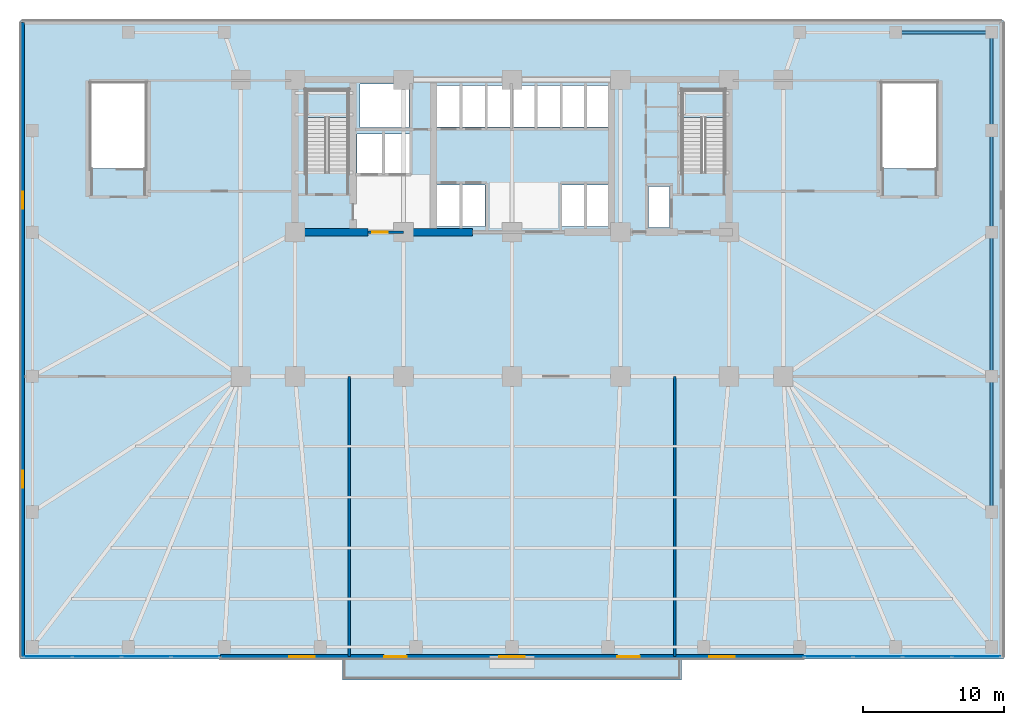
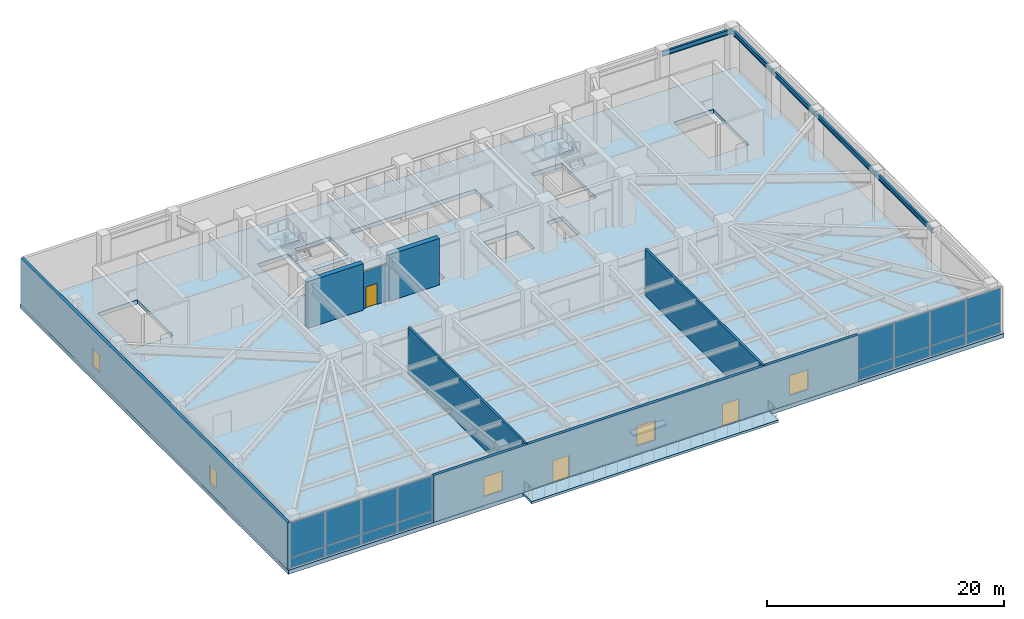
# One storey, part 7 of 15: 16 plates, 7 walls, 5 beams, 5 windows, 4 slabs, 3 doors, 8 openings, 4 elements without a shape of their own.
"""IFC4 building model written with IfcOpenShell, lengths in metres."""

import ifcopenshell
import ifcopenshell.guid

model = None  # the IFC model being written
_history = None  # IfcOwnerHistory: only IFC2X3 demands one
_inside = {}  # id of a spatial element -> (the spatial element, [elements in it])
_under = {}  # id of a project, library or spatial element -> (it, [spatial elements below it])
_declared = {}  # id of a project -> (the project, [libraries it declares])
_typed = {}  # id of a type object -> (the type object, [elements of that type])
_made_of = {}  # id of a material, layer set ... -> (it, [elements and type objects made of it])


def new_model(schema):
    """Start an empty IFC model of exactly this schema.

    Asked for "IFC4X3", IfcOpenShell would pick the latest addendum, in which some entities
    have other attributes; the version numbers below select the first issue.
    IFC2X3 requires an IfcOwnerHistory on every rooted entity: one is made here for all.
    """
    global model, _history
    if schema == "IFC4X3":
        model = ifcopenshell.file(schema_version=(4, 3, 0, 0))
    else:
        model = ifcopenshell.file(schema=schema)
    _inside.clear()
    _under.clear()
    _declared.clear()
    _typed.clear()
    _made_of.clear()
    _history = None
    if model.schema == "IFC2X3":
        org = make("IfcOrganization", Name="unknown")
        user = make(
            "IfcPersonAndOrganization",
            ThePerson=make("IfcPerson", FamilyName="unknown"),
            TheOrganization=org,
        )
        app = make(
            "IfcApplication",
            ApplicationDeveloper=org,
            Version="unknown",
            ApplicationFullName="unknown",
            ApplicationIdentifier="unknown",
        )
        _history = make(
            "IfcOwnerHistory",
            OwningUser=user,
            OwningApplication=app,
            ChangeAction="ADDED",
            CreationDate=0,
        )
    return model


def make(cls, **values):
    """One entity of the class cls with the attributes given. An attribute that is None is left unset."""
    return model.create_entity(
        cls, **{name: value for name, value in values.items() if value is not None}
    )


def rooted(cls, **values):
    """An entity with a GlobalId (a new one), such as an element, a storey or a relation."""
    return make(cls, GlobalId=ifcopenshell.guid.new(), OwnerHistory=_history, **values)


def si_unit(unit_type, name, prefix=None):
    """IfcSIUnit, for example si_unit("LENGTHUNIT", "METRE", prefix="MILLI")."""
    return make("IfcSIUnit", UnitType=unit_type, Prefix=prefix, Name=name)


def assignment(units):
    """IfcUnitAssignment: the units of a project."""
    return None if units is None else make("IfcUnitAssignment", Units=units)


def point(xyz):
    """IfcCartesianPoint."""
    return None if xyz is None else make("IfcCartesianPoint", Coordinates=xyz)


def direction(xyz):
    """IfcDirection."""
    return None if xyz is None else make("IfcDirection", DirectionRatios=xyz)


def frame(location, z_axis=None, x_axis=None):
    """IfcAxis2Placement3D, a coordinate frame: its origin and axes. An axis left out is left unset."""
    return make(
        "IfcAxis2Placement3D",
        Location=point(location),
        Axis=direction(z_axis),
        RefDirection=direction(x_axis),
    )


def frame_2d(location, x_axis=None):
    """IfcAxis2Placement2D, a coordinate frame in the plane: its origin and x axis."""
    return make(
        "IfcAxis2Placement2D", Location=point(location), RefDirection=direction(x_axis)
    )


def origin():
    """The frame at (0, 0, 0) with its axes left unset."""
    return frame((0.0, 0.0, 0.0))


def origin_2d():
    """The frame at (0, 0) in the plane with its x axis left unset."""
    return frame_2d((0.0, 0.0))


def place(relative_to, where):
    """IfcLocalPlacement: puts the frame where relative to a parent placement (None: the world)."""
    return make(
        "IfcLocalPlacement", PlacementRelTo=relative_to, RelativePlacement=where
    )


def context(
    kind, dimensions, precision=None, world=None, true_north=None, identifier=None
):
    """IfcGeometricRepresentationContext, for example the 3D "Model" context."""
    return make(
        "IfcGeometricRepresentationContext",
        ContextIdentifier=identifier,
        ContextType=kind,
        CoordinateSpaceDimension=dimensions,
        Precision=precision,
        WorldCoordinateSystem=world,
        TrueNorth=true_north,
    )


def subcontext(parent, identifier, kind, view, scale=None):
    """IfcGeometricRepresentationSubContext, for example "Body" below "Model"."""
    return make(
        "IfcGeometricRepresentationSubContext",
        ContextIdentifier=identifier,
        ContextType=kind,
        ParentContext=parent,
        TargetScale=scale,
        TargetView=view,
    )


def project(units=None, contexts=None):
    """IfcProject with its units and contexts."""
    return rooted(
        "IfcProject",
        Name="project",
        RepresentationContexts=contexts,
        UnitsInContext=assignment(units),
    )


def spatial(cls, under=None, at=None, **own):
    """A site, building, storey or space (cls), placed at a placement, below another one or the project."""
    s = rooted(cls, ObjectPlacement=at, **own)
    if under is not None:
        _under.setdefault(under.id(), (under, []))[1].append(s)
    return s


def polyline(points):
    """IfcPolyline through the points."""
    return make("IfcPolyline", Points=[point(p) for p in points])


def profile(cls, at=None, kind="AREA", **sizes):
    """A parametric profile (cls). Its sizes go by their IFC names, for example OverallWidth=200.0."""
    return make(cls, ProfileType=kind, Position=at, **sizes)


def rectangle(**sizes):
    """IfcRectangleProfileDef."""
    return profile("IfcRectangleProfileDef", **sizes)


def i_section(**sizes):
    """IfcIShapeProfileDef."""
    return profile("IfcIShapeProfileDef", **sizes)


def outline(outer, holes=None, kind="AREA"):
    """IfcArbitraryClosedProfileDef: a profile drawn as a closed curve; with holes, ...WithVoids."""
    if holes is None:
        return make("IfcArbitraryClosedProfileDef", ProfileType=kind, OuterCurve=outer)
    return make(
        "IfcArbitraryProfileDefWithVoids",
        ProfileType=kind,
        OuterCurve=outer,
        InnerCurves=holes,
    )


def extrude(swept, where, along, depth):
    """IfcExtrudedAreaSolid: the profile swept, set in the frame where, extruded along a direction by depth."""
    return make(
        "IfcExtrudedAreaSolid",
        SweptArea=swept,
        Position=where,
        ExtrudedDirection=direction(along),
        Depth=depth,
    )


def shape(context_of_items, identifier, shape_type, items):
    """IfcShapeRepresentation: the items that make up one representation, for example the "Body"."""
    return make(
        "IfcShapeRepresentation",
        ContextOfItems=context_of_items,
        RepresentationIdentifier=identifier,
        RepresentationType=shape_type,
        Items=items,
    )


def material(Name=None, Category=None):
    """IfcMaterial."""
    return make("IfcMaterial", Name=Name, Category=Category)


def layer(
    of_material, thickness, ventilated=None, Name=None, Category=None, Priority=None
):
    """IfcMaterialLayer: one layer of a wall or slab, of a material (None: an air gap)."""
    return make(
        "IfcMaterialLayer",
        Material=of_material,
        LayerThickness=thickness,
        IsVentilated=ventilated,
        Name=Name,
        Category=Category,
        Priority=Priority,
    )


def layer_set(layers, Name=None):
    """IfcMaterialLayerSet."""
    return make("IfcMaterialLayerSet", MaterialLayers=layers, LayerSetName=Name)


def material_profile(
    of_material, cross_section, Name=None, Category=None, Priority=None
):
    """IfcMaterialProfile: a cross section and its material."""
    return make(
        "IfcMaterialProfile",
        Name=Name,
        Material=of_material,
        Profile=cross_section,
        Priority=Priority,
        Category=Category,
    )


def profile_set(profiles, Name=None, composite=None):
    """IfcMaterialProfileSet."""
    return make(
        "IfcMaterialProfileSet",
        Name=Name,
        MaterialProfiles=profiles,
        CompositeProfile=composite,
    )


def made_of(thing, what):
    """Note that an element or type object is made of a material, layer set ...; save() writes the relation."""
    if what is not None:
        _made_of.setdefault(what.id(), (what, []))[1].append(thing)
    return thing


def type_object(cls, material=None, **own):
    """A type object (cls), such as IfcWallType, which elements share."""
    return made_of(rooted(cls, **own), material)


def element(
    cls,
    number,
    at=None,
    inside=None,
    cuts=None,
    type_object=None,
    material=None,
    context=None,
    identifier="Body",
    shape_type=None,
    held_by="IfcProductDefinitionShape",
    body=None,
    shapes=None,
    **own,
):
    """One element of the class cls, such as IfcWall. Its Tag is "e" and its number.

    at: its placement. inside: the storey or other place that contains it. cuts: it is an
    opening in that element (IfcRelVoidsElement). A single representation is given by context,
    identifier, shape_type and body (its items); several are given by shapes. held_by: the class
    of the entity that holds the representations. save() writes the other relations.
    """
    e = rooted(cls, Tag="e%d" % number, ObjectPlacement=at, **own)
    if body is not None:
        shapes = [shape(context, identifier, shape_type, body)]
    if shapes is not None:
        e.Representation = make(held_by, Representations=shapes)
    if inside is not None:
        _inside.setdefault(inside.id(), (inside, []))[1].append(e)
    if cuts is not None:
        rooted(
            "IfcRelVoidsElement", RelatingBuildingElement=cuts, RelatedOpeningElement=e
        )
    if type_object is not None:
        _typed.setdefault(type_object.id(), (type_object, []))[1].append(e)
    return made_of(e, material)


def fill(opening, filler):
    """IfcRelFillsElement: the door or window that sits in an opening."""
    return rooted(
        "IfcRelFillsElement",
        RelatingOpeningElement=opening,
        RelatedBuildingElement=filler,
    )


def aggregate(whole, parts):
    """IfcRelAggregates: a whole, such as a stair, and the parts it consists of."""
    return rooted("IfcRelAggregates", RelatingObject=whole, RelatedObjects=parts)


def save(model, path):
    """Write the relations noted so far, then the file.

    IfcRelAggregates (storeys below a building ...), IfcRelContainedInSpatialStructure (elements
    in a storey), IfcRelDefinesByType, IfcRelAssociatesMaterial and IfcRelDeclares: one each for
    every whole, place, type object, material and project.
    """
    for whole, parts in _under.values():
        aggregate(whole, parts)
    for where, things in _inside.values():
        rooted(
            "IfcRelContainedInSpatialStructure",
            RelatedElements=things,
            RelatingStructure=where,
        )
    for kind, things in _typed.values():
        rooted("IfcRelDefinesByType", RelatedObjects=things, RelatingType=kind)
    for what, things in _made_of.values():
        rooted("IfcRelAssociatesMaterial", RelatedObjects=things, RelatingMaterial=what)
    for by, libraries in _declared.values():
        rooted("IfcRelDeclares", RelatingContext=by, RelatedDefinitions=libraries)
    model.write(path)


model = new_model("IFC4")

# Units and contexts
model_context = context("Model", 3, precision=1e-05, world=origin(), true_north=direction((0.0, 1.0)))
body_context = subcontext(model_context, "Body", "Model", "MODEL_VIEW")
ifc_project = project(units=[si_unit("LENGTHUNIT", "METRE"), si_unit("AREAUNIT", "SQUARE_METRE"), si_unit("VOLUMEUNIT", "CUBIC_METRE"), si_unit("PLANEANGLEUNIT", "RADIAN"), si_unit("MASSUNIT", "GRAM", prefix="KILO")], contexts=[model_context])

# Site, building, storey
site_placement = place(None, origin())
site = spatial("IfcSite", under=ifc_project, at=site_placement, CompositionType="ELEMENT")
building_placement = place(site_placement, origin())
building = spatial("IfcBuilding", under=site, at=building_placement, Name="Yelkora Congress Tower", CompositionType="ELEMENT")
storey_placement = place(building_placement, frame((0.0, 0.0, 25.199951171875)))
storey = spatial("IfcBuildingStorey", under=building, at=storey_placement, Name="L05", CompositionType="ELEMENT", Elevation=25.199951171875)

# Beams
ifc_material_1 = material(Name="Steel S355J2", Category="steel")
ifc_material_profile = material_profile(ifc_material_1, i_section(OverallWidth=0.199951171875, OverallDepth=0.5, WebThickness=0.01025390625, FlangeThickness=0.01611328125, FilletRadius=0.02099609375, at=origin_2d()), Name="IPE 500")
ifc_profile_set = profile_set([ifc_material_profile], Name="Steel S355J2")
beam_type = type_object("IfcBeamType", Name="BM-SPAN-IPE500", PredefinedType="SPANDREL", material=ifc_profile_set)
beam_1_placement = place(storey_placement, frame((72.35009765625, 15.60009765625, 4.530029296875), z_axis=(0.0, 1.0, 0.0), x_axis=(-1.0, 0.0, 0.0)))
element("IfcBeam", 1, at=beam_1_placement, inside=storey, type_object=beam_type, Name="L05 Perimeter Beam 13", PredefinedType="SPANDREL", context=body_context, shape_type="SweptSolid", body=[
    extrude(i_section(OverallWidth=0.199951171875, OverallDepth=0.5, WebThickness=0.01025390625, FlangeThickness=0.01611328125, FilletRadius=0.02099609375, at=origin_2d()), origin(), (0.0, 0.0, 1.0), 9.599853515625),
])
beam_2_placement = place(storey_placement, frame((72.35009765625, 25.199951171875, 4.530029296875), z_axis=(0.0, 1.0, 0.0), x_axis=(-1.0, 0.0, 0.0)))
element("IfcBeam", 2, at=beam_2_placement, inside=storey, type_object=beam_type, Name="L05 Perimeter Beam 14", PredefinedType="SPANDREL", context=body_context, shape_type="SweptSolid", body=[
    extrude(i_section(OverallWidth=0.199951171875, OverallDepth=0.5, WebThickness=0.01025390625, FlangeThickness=0.01611328125, FilletRadius=0.02099609375, at=origin_2d()), origin(), (0.0, 0.0, 1.0), 10.199951171875),
])
beam_3_placement = place(storey_placement, frame((72.35009765625, 35.39990234375, 4.530029296875), z_axis=(0.0, 1.0, 0.0), x_axis=(-1.0, 0.0, 0.0)))
element("IfcBeam", 3, at=beam_3_placement, inside=storey, type_object=beam_type, Name="L05 Perimeter Beam 15", PredefinedType="SPANDREL", context=body_context, shape_type="SweptSolid", body=[
    extrude(i_section(OverallWidth=0.199951171875, OverallDepth=0.5, WebThickness=0.01025390625, FlangeThickness=0.01611328125, FilletRadius=0.02099609375, at=origin_2d()), origin(), (0.0, 0.0, 1.0), 7.2001953125),
])
beam_4_placement = place(storey_placement, frame((72.35009765625, 42.60009765625, 4.530029296875), z_axis=(0.0, 1.0, 0.0), x_axis=(-1.0, 0.0, 0.0)))
element("IfcBeam", 4, at=beam_4_placement, inside=storey, type_object=beam_type, Name="L05 Perimeter Beam 16", PredefinedType="SPANDREL", context=body_context, shape_type="SweptSolid", body=[
    extrude(i_section(OverallWidth=0.199951171875, OverallDepth=0.5, WebThickness=0.01025390625, FlangeThickness=0.01611328125, FilletRadius=0.02099609375, at=origin_2d()), origin(), (0.0, 0.0, 1.0), 6.949951171875),
])
beam_5_placement = place(storey_placement, frame((72.35009765625, 49.550048828125, 4.530029296875), z_axis=(-1.0, 0.0, 0.0), x_axis=(0.0, -1.0, 0.0)))
element("IfcBeam", 5, at=beam_5_placement, inside=storey, type_object=beam_type, Name="L05 Perimeter Beam 17", PredefinedType="SPANDREL", context=body_context, shape_type="SweptSolid", body=[
    extrude(i_section(OverallWidth=0.199951171875, OverallDepth=0.5, WebThickness=0.01025390625, FlangeThickness=0.01611328125, FilletRadius=0.02099609375, at=origin_2d()), origin(), (0.0, 0.0, 1.0), 6.7900390625),
])

# Curtain wall, plates
ifc_material_2 = material(Name="Anodised aluminium and insulated glass", Category="aluminium")
curtain_wall_type = type_object("IfcCurtainWallType", Name="CW-SYS-POD", PredefinedType="NOTDEFINED", material=ifc_material_2)
curtain_wall_1_placement = place(storey_placement, origin())
curtain_wall_1 = element("IfcCurtainWall", 6, at=curtain_wall_1_placement, inside=storey, type_object=curtain_wall_type, Name="L05 Podium Curtain Wall West", PredefinedType="NOTDEFINED")
ifc_material_3 = material(Name="Double-glazed low-E podium vision glass", Category="glass")
ifc_layer_1 = layer(ifc_material_3, 0.0439453125)
ifc_layer_set_1 = layer_set([ifc_layer_1], Name="Double-glazed low-E podium vision glass")
plate_type = type_object("IfcPlateType", Name="PLT-PN-POD", PredefinedType="CURTAIN_PANEL", material=ifc_layer_set_1)
plate_1_placement = place(storey_placement, frame((5.52880859375, 5.360107421875, 0.070068359375), z_axis=(0.0, 0.0, 1.0), x_axis=(1.0, 0.0, 0.0)))
plate_1 = element("IfcPlate", 7, at=plate_1_placement, type_object=plate_type, Name="CW-POD panel 1.1", PredefinedType="CURTAIN_PANEL", context=body_context, shape_type="SweptSolid", body=[
    extrude(rectangle(XDim=3.387451171875, YDim=0.0439453125, at=origin_2d()), origin(), (0.0, 0.0, 1.0), 0.9951171875),
])
plate_2_placement = place(storey_placement, frame((5.52880859375, 5.360107421875, 1.13525390625), z_axis=(0.0, 0.0, 1.0), x_axis=(1.0, 0.0, 0.0)))
plate_2 = element("IfcPlate", 8, at=plate_2_placement, type_object=plate_type, Name="CW-POD panel 1.2", PredefinedType="CURTAIN_PANEL", context=body_context, shape_type="SweptSolid", body=[
    extrude(rectangle(XDim=3.387451171875, YDim=0.0439453125, at=origin_2d()), origin(), (0.0, 0.0, 1.0), 3.574951171875),
])
plate_3_placement = place(storey_placement, frame((9.010009765625, 5.360107421875, 0.070068359375), z_axis=(0.0, 0.0, 1.0), x_axis=(1.0, 0.0, 0.0)))
plate_3 = element("IfcPlate", 9, at=plate_3_placement, type_object=plate_type, Name="CW-POD panel 2.1", PredefinedType="CURTAIN_PANEL", context=body_context, shape_type="SweptSolid", body=[
    extrude(rectangle(XDim=3.425048828125, YDim=0.0439453125, at=origin_2d()), origin(), (0.0, 0.0, 1.0), 0.9951171875),
])
plate_4_placement = place(storey_placement, frame((9.010009765625, 5.360107421875, 1.13525390625), z_axis=(0.0, 0.0, 1.0), x_axis=(1.0, 0.0, 0.0)))
plate_4 = element("IfcPlate", 10, at=plate_4_placement, type_object=plate_type, Name="CW-POD panel 2.2", PredefinedType="CURTAIN_PANEL", context=body_context, shape_type="SweptSolid", body=[
    extrude(rectangle(XDim=3.425048828125, YDim=0.0439453125, at=origin_2d()), origin(), (0.0, 0.0, 1.0), 3.574951171875),
])
plate_5_placement = place(storey_placement, frame((12.510009765625, 5.360107421875, 0.070068359375), z_axis=(0.0, 0.0, 1.0), x_axis=(1.0, 0.0, 0.0)))
plate_5 = element("IfcPlate", 11, at=plate_5_placement, type_object=plate_type, Name="CW-POD panel 3.1", PredefinedType="CURTAIN_PANEL", context=body_context, shape_type="SweptSolid", body=[
    extrude(rectangle(XDim=3.425048828125, YDim=0.0439453125, at=origin_2d()), origin(), (0.0, 0.0, 1.0), 0.9951171875),
])
plate_6_placement = place(storey_placement, frame((12.510009765625, 5.360107421875, 1.13525390625), z_axis=(0.0, 0.0, 1.0), x_axis=(1.0, 0.0, 0.0)))
plate_6 = element("IfcPlate", 12, at=plate_6_placement, type_object=plate_type, Name="CW-POD panel 3.2", PredefinedType="CURTAIN_PANEL", context=body_context, shape_type="SweptSolid", body=[
    extrude(rectangle(XDim=3.425048828125, YDim=0.0439453125, at=origin_2d()), origin(), (0.0, 0.0, 1.0), 3.574951171875),
])
plate_7_placement = place(storey_placement, frame((15.9912109375, 5.360107421875, 0.070068359375), z_axis=(0.0, 0.0, 1.0), x_axis=(1.0, 0.0, 0.0)))
plate_7 = element("IfcPlate", 13, at=plate_7_placement, type_object=plate_type, Name="CW-POD panel 4.1", PredefinedType="CURTAIN_PANEL", context=body_context, shape_type="SweptSolid", body=[
    extrude(rectangle(XDim=3.387451171875, YDim=0.0439453125, at=origin_2d()), origin(), (0.0, 0.0, 1.0), 0.9951171875),
])
plate_8_placement = place(storey_placement, frame((15.9912109375, 5.360107421875, 1.13525390625), z_axis=(0.0, 0.0, 1.0), x_axis=(1.0, 0.0, 0.0)))
plate_8 = element("IfcPlate", 14, at=plate_8_placement, type_object=plate_type, Name="CW-POD panel 4.2", PredefinedType="CURTAIN_PANEL", context=body_context, shape_type="SweptSolid", body=[
    extrude(rectangle(XDim=3.387451171875, YDim=0.0439453125, at=origin_2d()), origin(), (0.0, 0.0, 1.0), 3.574951171875),
])
aggregate(curtain_wall_1, [plate_1, plate_2, plate_3, plate_4, plate_5, plate_6, plate_7, plate_8])

curtain_wall_2_placement = place(storey_placement, origin())
curtain_wall_2 = element("IfcCurtainWall", 15, at=curtain_wall_2_placement, inside=storey, type_object=curtain_wall_type, Name="L05 Podium Curtain Wall East", PredefinedType="NOTDEFINED")
plate_9_placement = place(storey_placement, frame((60.808837890625, 5.360107421875, 0.070068359375), z_axis=(0.0, 0.0, 1.0), x_axis=(1.0, 0.0, 0.0)))
plate_9 = element("IfcPlate", 16, at=plate_9_placement, type_object=plate_type, Name="CW-POD panel 1.1", PredefinedType="CURTAIN_PANEL", context=body_context, shape_type="SweptSolid", body=[
    extrude(rectangle(XDim=3.387451171875, YDim=0.0439453125, at=origin_2d()), origin(), (0.0, 0.0, 1.0), 0.9951171875),
])
plate_10_placement = place(storey_placement, frame((60.808837890625, 5.360107421875, 1.13525390625), z_axis=(0.0, 0.0, 1.0), x_axis=(1.0, 0.0, 0.0)))
plate_10 = element("IfcPlate", 17, at=plate_10_placement, type_object=plate_type, Name="CW-POD panel 1.2", PredefinedType="CURTAIN_PANEL", context=body_context, shape_type="SweptSolid", body=[
    extrude(rectangle(XDim=3.387451171875, YDim=0.0439453125, at=origin_2d()), origin(), (0.0, 0.0, 1.0), 3.574951171875),
])
plate_11_placement = place(storey_placement, frame((64.2900390625, 5.360107421875, 0.070068359375), z_axis=(0.0, 0.0, 1.0), x_axis=(1.0, 0.0, 0.0)))
plate_11 = element("IfcPlate", 18, at=plate_11_placement, type_object=plate_type, Name="CW-POD panel 2.1", PredefinedType="CURTAIN_PANEL", context=body_context, shape_type="SweptSolid", body=[
    extrude(rectangle(XDim=3.425048828125, YDim=0.0439453125, at=origin_2d()), origin(), (0.0, 0.0, 1.0), 0.9951171875),
])
plate_12_placement = place(storey_placement, frame((64.2900390625, 5.360107421875, 1.13525390625), z_axis=(0.0, 0.0, 1.0), x_axis=(1.0, 0.0, 0.0)))
plate_12 = element("IfcPlate", 19, at=plate_12_placement, type_object=plate_type, Name="CW-POD panel 2.2", PredefinedType="CURTAIN_PANEL", context=body_context, shape_type="SweptSolid", body=[
    extrude(rectangle(XDim=3.425048828125, YDim=0.0439453125, at=origin_2d()), origin(), (0.0, 0.0, 1.0), 3.574951171875),
])
plate_13_placement = place(storey_placement, frame((67.7900390625, 5.360107421875, 0.070068359375), z_axis=(0.0, 0.0, 1.0), x_axis=(1.0, 0.0, 0.0)))
plate_13 = element("IfcPlate", 20, at=plate_13_placement, type_object=plate_type, Name="CW-POD panel 3.1", PredefinedType="CURTAIN_PANEL", context=body_context, shape_type="SweptSolid", body=[
    extrude(rectangle(XDim=3.425048828125, YDim=0.0439453125, at=origin_2d()), origin(), (0.0, 0.0, 1.0), 0.9951171875),
])
plate_14_placement = place(storey_placement, frame((67.7900390625, 5.360107421875, 1.13525390625), z_axis=(0.0, 0.0, 1.0), x_axis=(1.0, 0.0, 0.0)))
plate_14 = element("IfcPlate", 21, at=plate_14_placement, type_object=plate_type, Name="CW-POD panel 3.2", PredefinedType="CURTAIN_PANEL", context=body_context, shape_type="SweptSolid", body=[
    extrude(rectangle(XDim=3.425048828125, YDim=0.0439453125, at=origin_2d()), origin(), (0.0, 0.0, 1.0), 3.574951171875),
])
plate_15_placement = place(storey_placement, frame((71.271240234375, 5.360107421875, 0.070068359375), z_axis=(0.0, 0.0, 1.0), x_axis=(1.0, 0.0, 0.0)))
plate_15 = element("IfcPlate", 22, at=plate_15_placement, type_object=plate_type, Name="CW-POD panel 4.1", PredefinedType="CURTAIN_PANEL", context=body_context, shape_type="SweptSolid", body=[
    extrude(rectangle(XDim=3.387451171875, YDim=0.0439453125, at=origin_2d()), origin(), (0.0, 0.0, 1.0), 0.9951171875),
])
plate_16_placement = place(storey_placement, frame((71.271240234375, 5.360107421875, 1.13525390625), z_axis=(0.0, 0.0, 1.0), x_axis=(1.0, 0.0, 0.0)))
plate_16 = element("IfcPlate", 23, at=plate_16_placement, type_object=plate_type, Name="CW-POD panel 4.2", PredefinedType="CURTAIN_PANEL", context=body_context, shape_type="SweptSolid", body=[
    extrude(rectangle(XDim=3.387451171875, YDim=0.0439453125, at=origin_2d()), origin(), (0.0, 0.0, 1.0), 3.574951171875),
])
aggregate(curtain_wall_2, [plate_9, plate_10, plate_11, plate_12, plate_13, plate_14, plate_15, plate_16])

# Stair, slab
ifc_material_4 = material(Name="Concrete C40/50", Category="concrete")
stair_type = type_object("IfcStairType", Name="STAIR-HT-1420-R30-173", PredefinedType="HALF_TURN_STAIR", material=ifc_material_4)
stair_1_placement = place(storey_placement, origin())
stair_1 = element("IfcStair", 24, at=stair_1_placement, inside=storey, type_object=stair_type, Name="West Core Protected Exit Stair ST-01 (L05)", PredefinedType="HALF_TURN_STAIR")
ifc_layer_2 = layer(ifc_material_4, 0.219970703125)
ifc_layer_set_2 = layer_set([ifc_layer_2], Name="Concrete C40/50")
slab_type_1 = type_object("IfcSlabType", Name="SLAB-LANDING-220", PredefinedType="LANDING", material=ifc_layer_set_2)
slab_1_placement = place(storey_placement, frame((0.0, 0.0, 2.380126953125)))
slab_1 = element("IfcSlab", 25, at=slab_1_placement, type_object=slab_type_1, Name="ST-01 L05 Half Landing 1", PredefinedType="LANDING", context=body_context, shape_type="SweptSolid", body=[
    extrude(outline(polyline([(26.820068359375, 43.52001953125), (26.820068359375, 45.469970703125), (23.820068359375, 45.469970703125), (23.820068359375, 43.52001953125), (26.820068359375, 43.52001953125)])), origin(), (0.0, 0.0, 1.0), 0.219970703125),
])
aggregate(stair_1, [slab_1])

stair_2_placement = place(storey_placement, origin())
stair_2 = element("IfcStair", 26, at=stair_2_placement, inside=storey, type_object=stair_type, Name="East Core Protected Exit Stair ST-02 (L05)", PredefinedType="HALF_TURN_STAIR")
slab_2_placement = place(storey_placement, frame((0.0, 0.0, 2.380126953125)))
slab_2 = element("IfcSlab", 27, at=slab_2_placement, type_object=slab_type_1, Name="ST-02 L05 Half Landing 1", PredefinedType="LANDING", context=body_context, shape_type="SweptSolid", body=[
    extrude(outline(polyline([(53.4599609375, 43.52001953125), (53.4599609375, 45.469970703125), (50.4599609375, 45.469970703125), (50.4599609375, 43.52001953125), (53.4599609375, 43.52001953125)])), origin(), (0.0, 0.0, 1.0), 0.219970703125),
])
aggregate(stair_2, [slab_2])

# Slabs
ifc_layer_3 = layer(ifc_material_4, 0.239990234375)
ifc_layer_set_3 = layer_set([ifc_layer_3], Name="Concrete C40/50")
slab_type_2 = type_object("IfcSlabType", Name="SLAB-TER-240", PredefinedType="FLOOR", material=ifc_layer_set_3)
slab_3_placement = place(storey_placement, frame((0.0, 0.0, -0.239990234375)))
element("IfcSlab", 28, at=slab_3_placement, inside=storey, type_object=slab_type_2, Name="L05 Planted Sky Garden Terrace Slab", PredefinedType="FLOOR", context=body_context, shape_type="SweptSolid", body=[
    extrude(outline(polyline([(26.39990234375, 3.699951171875), (26.39990234375, 5.199951171875), (50.39990234375, 5.199951171875), (50.39990234375, 3.699951171875), (26.39990234375, 3.699951171875)])), origin(), (0.0, 0.0, 1.0), 0.239990234375),
])
ifc_material_5 = material(Name="Concrete C60/75", Category="concrete")
ifc_layer_4 = layer(ifc_material_5, 0.419921875)
ifc_layer_set_4 = layer_set([ifc_layer_4], Name="Concrete C60/75")
slab_type_3 = type_object("IfcSlabType", Name="SLAB-XFER-420", PredefinedType="FLOOR", material=ifc_layer_set_4)
slab_4_placement = place(storey_placement, frame((0.0, 0.0, -0.419921875)))
element("IfcSlab", 29, at=slab_4_placement, inside=storey, type_object=slab_type_3, Name="L05 Structural Floor Slab", PredefinedType="FLOOR", context=body_context, shape_type="SweptSolid", body=[
    extrude(outline(polyline([(3.60009765625, 5.199951171875), (73.199951171875, 5.199951171875), (73.199951171875, 50.39990234375), (3.60009765625, 50.39990234375), (3.60009765625, 5.199951171875)]), holes=[polyline([(23.820068359375, 39.6298828125), (26.820068359375, 39.6298828125), (26.820068359375, 45.469970703125), (23.820068359375, 45.469970703125), (23.820068359375, 39.6298828125)]), polyline([(50.4599609375, 39.6298828125), (53.4599609375, 39.6298828125), (53.4599609375, 45.469970703125), (50.4599609375, 45.469970703125), (50.4599609375, 39.6298828125)]), polyline([(8.60009765625, 39.929931640625), (12.4599609375, 39.929931640625), (12.4599609375, 45.949951171875), (8.60009765625, 45.949951171875), (8.60009765625, 39.929931640625)]), polyline([(64.60009765625, 39.929931640625), (68.4599609375, 39.929931640625), (68.4599609375, 45.949951171875), (64.60009765625, 45.949951171875), (64.60009765625, 39.929931640625)]), polyline([(48.050048828125, 35.75), (49.550048828125, 35.75), (49.550048828125, 38.64990234375), (48.050048828125, 38.64990234375), (48.050048828125, 35.75)]), polyline([(41.949951171875, 35.800048828125), (45.25, 35.800048828125), (45.25, 38.75), (41.949951171875, 38.75), (41.949951171875, 35.800048828125)]), polyline([(33.10009765625, 42.85009765625), (45.25, 42.85009765625), (45.25, 45.800048828125), (33.10009765625, 45.800048828125), (33.10009765625, 42.85009765625)]), polyline([(33.10009765625, 35.800048828125), (36.5, 35.800048828125), (36.5, 38.75), (33.10009765625, 38.75), (33.10009765625, 35.800048828125)]), polyline([(27.419921875, 39.60009765625), (31.179931640625, 39.60009765625), (31.179931640625, 42.35009765625), (27.419921875, 42.35009765625), (27.419921875, 39.60009765625)]), polyline([(27.64990234375, 42.820068359375), (31.1201171875, 42.820068359375), (31.1201171875, 45.8798828125), (27.64990234375, 45.8798828125), (27.64990234375, 42.820068359375)])]), origin(), (0.0, 0.0, 1.0), 0.419921875),
])

# Walls
ifc_layer_5 = layer(ifc_material_5, 0.5)
ifc_layer_set_5 = layer_set([ifc_layer_5], Name="Concrete C60/75")
wall_type_1 = type_object("IfcWallType", Name="WALL-CORE-INT-500", PredefinedType="SHEAR", material=ifc_layer_set_5)
wall_1_placement = place(storey_placement, frame((22.7900390625, 35.39990234375, 0.0), z_axis=(0.0, 0.0, 1.0), x_axis=(1.0, 0.0, 0.0)))
element("IfcWall", 30, at=wall_1_placement, inside=storey, type_object=wall_type_1, Name="L05 Rear Core South-West Shear Wall", PredefinedType="SHEAR", context=body_context, shape_type="SweptSolid", body=[
    extrude(rectangle(XDim=5.409912109375, YDim=0.5, at=frame_2d((2.705078125, 0.0))), origin(), (0.0, 0.0, 1.0), 4.780029296875),
])
wall_2_placement = place(storey_placement, frame((30.719970703125, 35.39990234375, 0.0), z_axis=(0.0, 0.0, 1.0), x_axis=(1.0, 0.0, 0.0)))
element("IfcWall", 31, at=wall_2_placement, inside=storey, type_object=wall_type_1, Name="L05 Rear Core South-Center Shear Pier", PredefinedType="SHEAR", context=body_context, shape_type="SweptSolid", body=[
    extrude(rectangle(XDim=4.880126953125, YDim=0.5, at=frame_2d((2.43994140625, 0.0))), origin(), (0.0, 0.0, 1.0), 4.780029296875),
])

# Wall, openings, windows
ifc_layer_6 = layer(ifc_material_4, 0.280029296875)
ifc_layer_set_6 = layer_set([ifc_layer_6], Name="Concrete C40/50")
wall_type_2 = type_object("IfcWallType", Name="WALL-EXT-LIMESTONE-280", PredefinedType="SOLIDWALL", material=ifc_layer_set_6)
wall_3_placement = place(storey_placement, frame((3.760009765625, 5.360107421875, 0.0), z_axis=(0.0, 0.0, 1.0), x_axis=(0.0, 1.0, 0.0)))
wall_3 = element("IfcWall", 32, at=wall_3_placement, inside=storey, type_object=wall_type_2, Name="L05 Podium Limestone Wall 1", PredefinedType="SOLIDWALL", context=body_context, shape_type="SweptSolid", body=[
    extrude(rectangle(XDim=44.8798828125, YDim=0.280029296875, at=frame_2d((22.43994140625, 0.0))), origin(), (0.0, 0.0, 1.0), 4.780029296875),
])
opening_1_placement = place(wall_3_placement, frame((11.96630859375, 0.0, 1.0)))
opening_1 = element("IfcOpeningElement", 33, at=opening_1_placement, cuts=wall_3, Name="Opening WN-12", PredefinedType="OPENING", context=body_context, shape_type="SweptSolid", body=[
    extrude(rectangle(XDim=1.199951171875, YDim=1.800048828125, at=frame_2d((0.60009765625, 0.89990234375))), frame((0.0, 0.14990234375, 0.0), z_axis=(0.0, -1.0, 0.0), x_axis=(1.0, 0.0, 0.0)), (0.0, 0.0, 1.0), 0.300048828125),
])
opening_2_placement = place(wall_3_placement, frame((31.713623046875, 0.0, 1.0)))
opening_2 = element("IfcOpeningElement", 34, at=opening_2_placement, cuts=wall_3, Name="Opening WN-12", PredefinedType="OPENING", context=body_context, shape_type="SweptSolid", body=[
    extrude(rectangle(XDim=1.199951171875, YDim=1.800048828125, at=frame_2d((0.60009765625, 0.89990234375))), frame((0.0, 0.14990234375, 0.0), z_axis=(0.0, -1.0, 0.0), x_axis=(1.0, 0.0, 0.0)), (0.0, 0.0, 1.0), 0.300048828125),
])
ifc_material_6 = material(Name="Thermally broken aluminium window", Category="aluminium")
window_type_1 = type_object("IfcWindowType", Name="WIN-POD-1200x1800", PartitioningType="SINGLE_PANEL", PredefinedType="WINDOW", material=ifc_material_6)
window_1_placement = place(opening_1_placement, origin())
window_1 = element("IfcWindow", 35, at=window_1_placement, inside=storey, type_object=window_type_1, Name="L05 Podium Facade Window 1-1", OverallHeight=1.800048828125, OverallWidth=1.199951171875, PartitioningType="SINGLE_PANEL", PredefinedType="WINDOW", context=body_context, shape_type="SweptSolid", body=[
    extrude(rectangle(XDim=1.199951171875, YDim=1.800048828125, at=frame_2d((0.60009765625, 0.89990234375))), frame((0.0, 0.030029296875, 0.0), z_axis=(0.0, -1.0, 0.0), x_axis=(1.0, 0.0, 0.0)), (0.0, 0.0, 1.0), 0.06005859375),
])
fill(opening_1, window_1)
window_2_placement = place(opening_2_placement, origin())
window_2 = element("IfcWindow", 36, at=window_2_placement, inside=storey, type_object=window_type_1, Name="L05 Podium Facade Window 1-2", OverallHeight=1.800048828125, OverallWidth=1.199951171875, PartitioningType="SINGLE_PANEL", PredefinedType="WINDOW", context=body_context, shape_type="SweptSolid", body=[
    extrude(rectangle(XDim=1.199951171875, YDim=1.800048828125, at=frame_2d((0.60009765625, 0.89990234375))), frame((0.0, 0.030029296875, 0.0), z_axis=(0.0, -1.0, 0.0), x_axis=(1.0, 0.0, 0.0)), (0.0, 0.0, 1.0), 0.06005859375),
])
fill(opening_2, window_2)

# Wall, openings, doors, windows
wall_4_placement = place(storey_placement, frame((17.760009765625, 5.360107421875, 0.0), z_axis=(0.0, 0.0, 1.0), x_axis=(1.0, 0.0, 0.0)))
wall_4 = element("IfcWall", 37, at=wall_4_placement, inside=storey, type_object=wall_type_2, Name="L05 Terrace Portal Wall", PredefinedType="SOLIDWALL", context=body_context, shape_type="SweptSolid", body=[
    extrude(rectangle(XDim=41.280029296875, YDim=0.280029296875, at=frame_2d((20.64013671875, 0.0))), origin(), (0.0, 0.0, 1.0), 4.780029296875),
])
opening_3_placement = place(wall_4_placement, frame((11.583984375, 0.0, 0.0)))
opening_3 = element("IfcOpeningElement", 38, at=opening_3_placement, cuts=wall_4, Name="Opening DE-160T", PredefinedType="OPENING", context=body_context, shape_type="SweptSolid", body=[
    extrude(rectangle(XDim=1.60009765625, YDim=2.25, at=frame_2d((0.800048828125, 1.125))), frame((0.0, 0.14990234375, 0.0), z_axis=(0.0, -1.0, 0.0), x_axis=(1.0, 0.0, 0.0)), (0.0, 0.0, 1.0), 0.300048828125),
])
opening_4_placement = place(wall_4_placement, frame((28.095947265625, 0.0, 0.0)))
opening_4 = element("IfcOpeningElement", 39, at=opening_4_placement, cuts=wall_4, Name="Opening DE-160T", PredefinedType="OPENING", context=body_context, shape_type="SweptSolid", body=[
    extrude(rectangle(XDim=1.60009765625, YDim=2.25, at=frame_2d((0.800048828125, 1.125))), frame((0.0, 0.14990234375, 0.0), z_axis=(0.0, -1.0, 0.0), x_axis=(1.0, 0.0, 0.0)), (0.0, 0.0, 1.0), 0.300048828125),
])
opening_5_placement = place(wall_4_placement, frame((4.879150390625, 0.0, 0.89990234375)))
opening_5 = element("IfcOpeningElement", 40, at=opening_5_placement, cuts=wall_4, Name="Opening WN-18", PredefinedType="OPENING", context=body_context, shape_type="SweptSolid", body=[
    extrude(rectangle(XDim=1.800048828125, YDim=2.0, at=frame_2d((0.89990234375, 1.0))), frame((0.0, 0.14990234375, 0.0), z_axis=(0.0, -1.0, 0.0), x_axis=(1.0, 0.0, 0.0)), (0.0, 0.0, 1.0), 0.300048828125),
])
opening_6_placement = place(wall_4_placement, frame((19.739990234375, 0.0, 0.89990234375)))
opening_6 = element("IfcOpeningElement", 41, at=opening_6_placement, cuts=wall_4, Name="Opening WN-18", PredefinedType="OPENING", context=body_context, shape_type="SweptSolid", body=[
    extrude(rectangle(XDim=1.800048828125, YDim=2.0, at=frame_2d((0.89990234375, 1.0))), frame((0.0, 0.14990234375, 0.0), z_axis=(0.0, -1.0, 0.0), x_axis=(1.0, 0.0, 0.0)), (0.0, 0.0, 1.0), 0.300048828125),
])
opening_7_placement = place(wall_4_placement, frame((34.600830078125, 0.0, 0.89990234375)))
opening_7 = element("IfcOpeningElement", 42, at=opening_7_placement, cuts=wall_4, Name="Opening WN-18", PredefinedType="OPENING", context=body_context, shape_type="SweptSolid", body=[
    extrude(rectangle(XDim=1.800048828125, YDim=2.0, at=frame_2d((0.89990234375, 1.0))), frame((0.0, 0.14990234375, 0.0), z_axis=(0.0, -1.0, 0.0), x_axis=(1.0, 0.0, 0.0)), (0.0, 0.0, 1.0), 0.300048828125),
])
ifc_material_7 = material(Name="Thermally broken aluminium glazed terrace door", Category="aluminium")
door_type_1 = type_object("IfcDoorType", Name="DOOR-EXT-TERRACE-1600", OperationType="DOUBLE_DOOR_SINGLE_SWING", PredefinedType="DOOR", material=ifc_material_7)
door_1_placement = place(opening_3_placement, frame((1.60009765625, 0.0, 0.0), z_axis=(0.0, 0.0, 1.0), x_axis=(-1.0, 0.0, 0.0)))
door_1 = element("IfcDoor", 43, at=door_1_placement, inside=storey, type_object=door_type_1, Name="L05 Planted Podium Terrace Door 1", OperationType="SINGLE_SWING_LEFT", OverallHeight=2.25, OverallWidth=1.60009765625, PredefinedType="DOOR", context=body_context, shape_type="SweptSolid", body=[
    extrude(rectangle(XDim=1.60009765625, YDim=2.25, at=frame_2d((0.800048828125, 1.125))), frame((0.0, 0.02490234375, 0.0), z_axis=(0.0, -1.0, 0.0), x_axis=(1.0, 0.0, 0.0)), (0.0, 0.0, 1.0), 0.050048828125),
])
fill(opening_3, door_1)
door_2_placement = place(opening_4_placement, frame((1.60009765625, 0.0, 0.0), z_axis=(0.0, 0.0, 1.0), x_axis=(-1.0, 0.0, 0.0)))
door_2 = element("IfcDoor", 44, at=door_2_placement, inside=storey, type_object=door_type_1, Name="L05 Planted Podium Terrace Door 2", OperationType="SINGLE_SWING_LEFT", OverallHeight=2.25, OverallWidth=1.60009765625, PredefinedType="DOOR", context=body_context, shape_type="SweptSolid", body=[
    extrude(rectangle(XDim=1.60009765625, YDim=2.25, at=frame_2d((0.800048828125, 1.125))), frame((0.0, 0.02490234375, 0.0), z_axis=(0.0, -1.0, 0.0), x_axis=(1.0, 0.0, 0.0)), (0.0, 0.0, 1.0), 0.050048828125),
])
fill(opening_4, door_2)
ifc_material_8 = material(Name="Thermally broken aluminium low-E window", Category="aluminium")
window_type_2 = type_object("IfcWindowType", Name="WIN-POD-1800x2000", PartitioningType="SINGLE_PANEL", PredefinedType="WINDOW", material=ifc_material_8)
window_3_placement = place(opening_5_placement, origin())
window_3 = element("IfcWindow", 45, at=window_3_placement, inside=storey, type_object=window_type_2, Name="L05 Terrace Lounge Window 1", OverallHeight=2.0, OverallWidth=1.800048828125, PartitioningType="SINGLE_PANEL", PredefinedType="WINDOW", context=body_context, shape_type="SweptSolid", body=[
    extrude(rectangle(XDim=1.800048828125, YDim=2.0, at=frame_2d((0.89990234375, 1.0))), frame((0.0, 0.030029296875, 0.0), z_axis=(0.0, -1.0, 0.0), x_axis=(1.0, 0.0, 0.0)), (0.0, 0.0, 1.0), 0.06005859375),
])
fill(opening_5, window_3)
window_4_placement = place(opening_6_placement, origin())
window_4 = element("IfcWindow", 46, at=window_4_placement, inside=storey, type_object=window_type_2, Name="L05 Terrace Lounge Window 2", OverallHeight=2.0, OverallWidth=1.800048828125, PartitioningType="SINGLE_PANEL", PredefinedType="WINDOW", context=body_context, shape_type="SweptSolid", body=[
    extrude(rectangle(XDim=1.800048828125, YDim=2.0, at=frame_2d((0.89990234375, 1.0))), frame((0.0, 0.030029296875, 0.0), z_axis=(0.0, -1.0, 0.0), x_axis=(1.0, 0.0, 0.0)), (0.0, 0.0, 1.0), 0.06005859375),
])
fill(opening_6, window_4)
window_5_placement = place(opening_7_placement, origin())
window_5 = element("IfcWindow", 47, at=window_5_placement, inside=storey, type_object=window_type_2, Name="L05 Terrace Lounge Window 3", OverallHeight=2.0, OverallWidth=1.800048828125, PartitioningType="SINGLE_PANEL", PredefinedType="WINDOW", context=body_context, shape_type="SweptSolid", body=[
    extrude(rectangle(XDim=1.800048828125, YDim=2.0, at=frame_2d((0.89990234375, 1.0))), frame((0.0, 0.030029296875, 0.0), z_axis=(0.0, -1.0, 0.0), x_axis=(1.0, 0.0, 0.0)), (0.0, 0.0, 1.0), 0.06005859375),
])
fill(opening_7, window_5)

# Wall, opening, door
ifc_material_9 = material(Name="Autoclaved aerated concrete blockwork", Category="masonry")
ifc_layer_7 = layer(ifc_material_9, 0.199951171875)
ifc_layer_set_7 = layer_set([ifc_layer_7], Name="Autoclaved aerated concrete blockwork")
wall_type_3 = type_object("IfcWallType", Name="WALL-INT-200-R120", PredefinedType="PARTITIONING", material=ifc_layer_set_7)
wall_5_placement = place(storey_placement, frame((28.219970703125, 35.39990234375, 0.0), z_axis=(0.0, 0.0, 1.0), x_axis=(1.0, 0.0, 0.0)))
wall_5 = element("IfcWall", 48, at=wall_5_placement, inside=storey, type_object=wall_type_3, Name="L05 Firefighting Lobby South Wall", PredefinedType="PARTITIONING", context=body_context, shape_type="SweptSolid", body=[
    extrude(rectangle(XDim=2.5, YDim=0.199951171875, at=frame_2d((1.25, 0.0))), origin(), (0.0, 0.0, 1.0), 3.76708984375),
])
opening_8_placement = place(wall_5_placement, frame((0.300048828125, 0.0, 0.0)))
opening_8 = element("IfcOpeningElement", 49, at=opening_8_placement, cuts=wall_5, Name="Opening DR-110F9", PredefinedType="OPENING", context=body_context, shape_type="SweptSolid", body=[
    extrude(rectangle(XDim=1.10009765625, YDim=2.14990234375, at=frame_2d((0.550048828125, 1.074951171875))), frame((0.0, 0.10986328125, 0.0), z_axis=(0.0, -1.0, 0.0), x_axis=(1.0, 0.0, 0.0)), (0.0, 0.0, 1.0), 0.219970703125),
])
ifc_material_10 = material(Name="Galvanised steel fire door leaf", Category="steel")
door_type_2 = type_object("IfcDoorType", Name="DOOR-FD90-1100", OperationType="NOTDEFINED", PredefinedType="DOOR", material=ifc_material_10)
door_3_placement = place(opening_8_placement, origin())
door_3 = element("IfcDoor", 50, at=door_3_placement, inside=storey, type_object=door_type_2, Name="L05 Firefighting Lobby Corridor Door", OperationType="SINGLE_SWING_RIGHT", OverallHeight=2.14990234375, OverallWidth=1.10009765625, PredefinedType="DOOR", context=body_context, shape_type="SweptSolid", body=[
    extrude(rectangle(XDim=1.10009765625, YDim=2.14990234375, at=frame_2d((0.550048828125, 1.074951171875))), frame((0.0, 0.02490234375, 0.0), z_axis=(0.0, -1.0, 0.0), x_axis=(1.0, 0.0, 0.0)), (0.0, 0.0, 1.0), 0.050048828125),
])
fill(opening_8, door_3)

# Walls
ifc_material_11 = material(Name="Autoclaved high-density acoustic blockwork", Category="masonry")
ifc_layer_8 = layer(ifc_material_11, 0.199951171875)
ifc_layer_set_8 = layer_set([ifc_layer_8], Name="Autoclaved high-density acoustic blockwork")
wall_type_4 = type_object("IfcWallType", Name="WALL-INT-200-R90", PredefinedType="PARTITIONING", material=ifc_layer_set_8)
for number, where, z_axis, x_axis, name in (
    (51, (26.8798828125, 5.3798828125, 0.0), (0.0, 0.0, 1.0), (0.0, 1.0, 0.0), "L05 Partition Wall 40"),
    (52, (49.919921875, 5.3798828125, 0.0), (0.0, 0.0, 1.0), (0.0, 1.0, 0.0), "L05 Partition Wall 41"),
):
    element("IfcWall", number, at=place(storey_placement, frame(where, z_axis=z_axis, x_axis=x_axis)), inside=storey, type_object=wall_type_4, Name=name, PredefinedType="PARTITIONING", context=body_context, shape_type="SweptSolid", body=[
        extrude(rectangle(XDim=19.820068359375, YDim=0.199951171875, at=frame_2d((9.91015625, 0.0))), origin(), (0.0, 0.0, 1.0), 4.780029296875),
    ])

save(model, "model.ifc")
